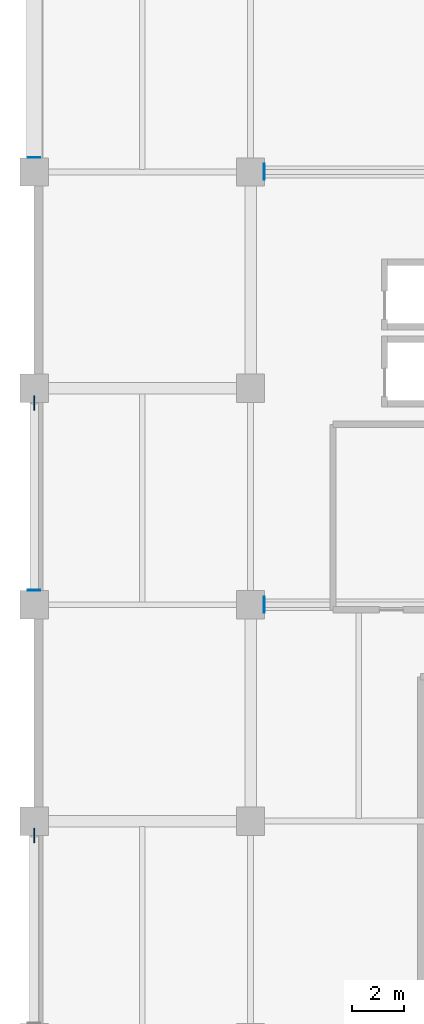
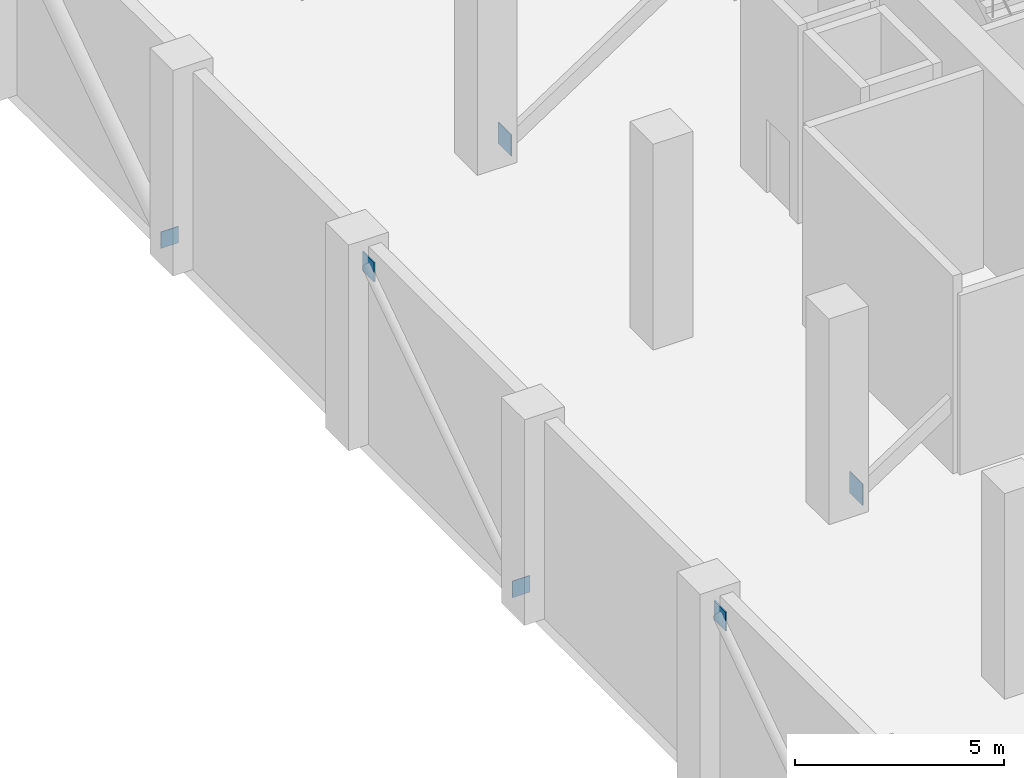
# One storey, part 7 of 16: 6 plates.
"""IFC4 building model written with IfcOpenShell, lengths in metres."""

from ifc_helpers import new_model, si_unit, direction, frame, origin, origin_2d, place, context, subcontext, project, spatial, rectangle, extrude, material, layer, layer_set, type_object, element, save


model = new_model("IFC4")

# Units and contexts
model_context = context("Model", 3, precision=1e-05, world=origin(), true_north=direction((0.0, 1.0)))
body_context = subcontext(model_context, "Body", "Model", "MODEL_VIEW")
ifc_project = project(units=[si_unit("LENGTHUNIT", "METRE"), si_unit("AREAUNIT", "SQUARE_METRE"), si_unit("VOLUMEUNIT", "CUBIC_METRE"), si_unit("PLANEANGLEUNIT", "RADIAN"), si_unit("MASSUNIT", "GRAM", prefix="KILO")], contexts=[model_context])

# Site, building, storey
site_placement = place(None, origin())
site = spatial("IfcSite", under=ifc_project, at=site_placement, CompositionType="ELEMENT")
building_placement = place(site_placement, origin())
building = spatial("IfcBuilding", under=site, at=building_placement, Name="Koriwani Terraces Tower", CompositionType="ELEMENT")
storey_placement = place(building_placement, frame((0.0, 0.0, 162.0)))
storey = spatial("IfcBuildingStorey", under=building, at=storey_placement, Name="L39", CompositionType="ELEMENT", Elevation=162.0)

# Plates
ifc_material = material(Name="Steel ASTM A572 Grade 50", Category="steel")
ifc_layer_1 = layer(ifc_material, 0.02490234375, Name="Steel ASTM A572 Grade 50")
ifc_layer_set_1 = layer_set([ifc_layer_1], Name="Steel ASTM A572 Grade 50")
plate_type_1 = type_object("IfcPlateType", Name="STEEL_CAP_PLATE_25", PredefinedType="USERDEFINED", material=ifc_layer_set_1)
for number, where, z_axis, x_axis, name in (
    (1, (8.929931640625, 42.0, 0.0400390625), (0.0, 0.0, 1.0), (1.0, 0.0, 0.0), "Outrigger truss hollow end cap plate L39-OW-W1"),
    (2, (8.929931640625, 58.800048828125, 0.0400390625), (0.0, 0.0, 1.0), (1.0, 0.0, 0.0), "Outrigger truss hollow end cap plate L39-OW-W2"),
):
    element("IfcPlate", number, at=place(storey_placement, frame(where, z_axis=z_axis, x_axis=x_axis)), inside=storey, type_object=plate_type_1, Name=name, ObjectType="FLANGE_PLATE", PredefinedType="USERDEFINED", context=body_context, shape_type="SweptSolid", body=[
        extrude(rectangle(XDim=0.02490234375, YDim=0.6201171875, at=origin_2d()), origin(), (0.0, 0.0, 1.0), 0.6201171875),
    ])
for number, where, z_axis, x_axis, name in (
    (3, (0.0, 42.56298828125, 0.032470703125), (0.0, 0.0, 1.0), (0.0, 1.0, 0.0), "Brace End Cap Plate BT-L39-BW3"),
    (4, (0.0, 59.363037109375, 0.032470703125), (0.0, 0.0, 1.0), (0.0, 1.0, 0.0), "Brace End Cap Plate BT-L39-BW4"),
):
    element("IfcPlate", number, at=place(storey_placement, frame(where, z_axis=z_axis, x_axis=x_axis)), inside=storey, type_object=plate_type_1, Name=name, ObjectType="FLANGE_PLATE", PredefinedType="USERDEFINED", context=body_context, shape_type="SweptSolid", body=[
        extrude(rectangle(XDim=0.02490234375, YDim=0.47998046875, at=origin_2d()), origin(), (0.0, 0.0, 1.0), 0.47998046875),
    ])
ifc_layer_2 = layer(ifc_material, 0.0400390625, Name="Steel ASTM A572 Grade 50")
ifc_layer_set_2 = layer_set([ifc_layer_2], Name="Steel ASTM A572 Grade 50")
plate_type_2 = type_object("IfcPlateType", Name="STEEL_GUSSET_PLATE_40", PredefinedType="USERDEFINED", material=ifc_layer_set_2)
for number, where, z_axis, x_axis, name in (
    (5, (0.0, 33.036865234375, 4.91748046875), (0.0, 0.0, 1.0), (0.0, 1.0, 0.0), "Brace Node Gusset Plate BT-L39-BW2"),
    (6, (0.0, 49.8369140625, 4.91748046875), (0.0, 0.0, 1.0), (0.0, 1.0, 0.0), "Brace Node Gusset Plate BT-L39-BW3"),
):
    element("IfcPlate", number, at=place(storey_placement, frame(where, z_axis=z_axis, x_axis=x_axis)), inside=storey, type_object=plate_type_2, Name=name, ObjectType="GUSSET_PLATE", PredefinedType="USERDEFINED", context=body_context, shape_type="SweptSolid", body=[
        extrude(rectangle(XDim=0.56005859375, YDim=0.0400390625, at=origin_2d()), origin(), (0.0, 0.0, 1.0), 0.56005859375),
    ])

save(model, "model.ifc")
